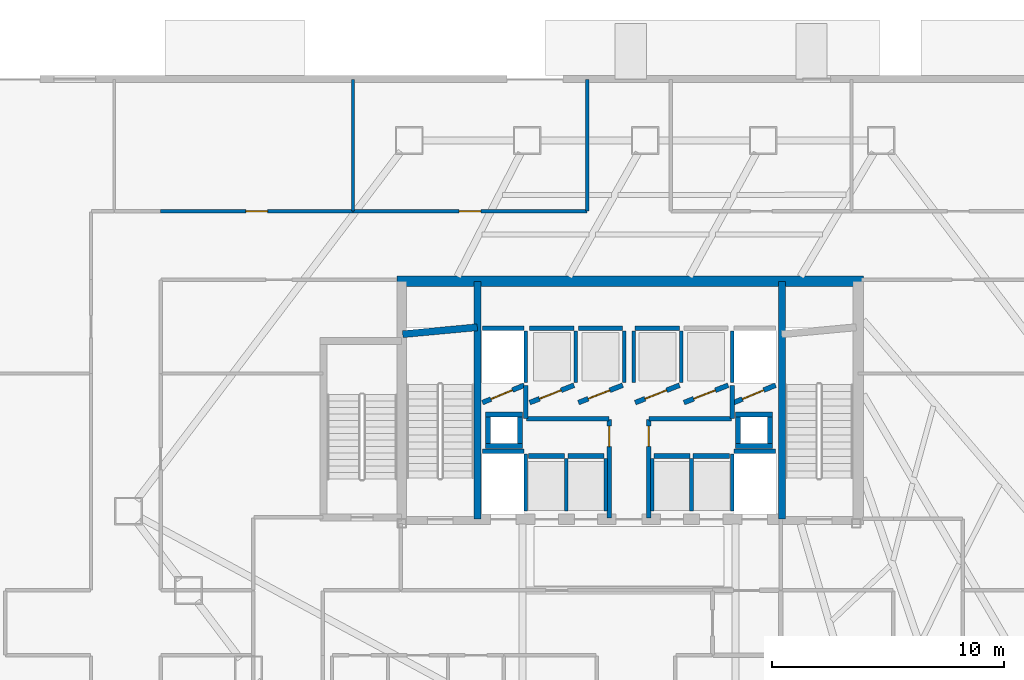
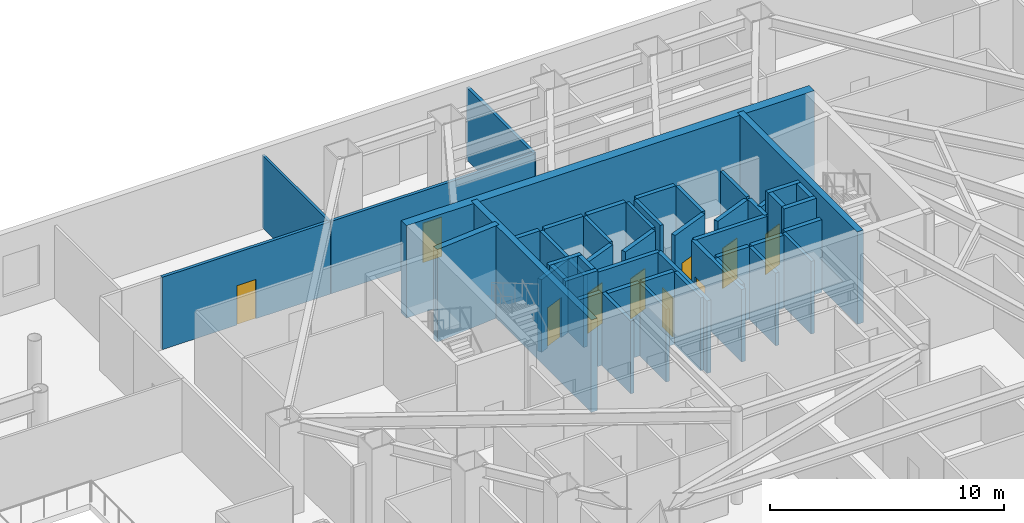
# One storey, part 25 of 31: 50 walls, 10 doors, 10 openings.
"""IFC4 building model written with IfcOpenShell, lengths in metres."""

import ifcopenshell
import ifcopenshell.guid

model = None  # the IFC model being written
_history = None  # IfcOwnerHistory: only IFC2X3 demands one
_inside = {}  # id of a spatial element -> (the spatial element, [elements in it])
_under = {}  # id of a project, library or spatial element -> (it, [spatial elements below it])
_declared = {}  # id of a project -> (the project, [libraries it declares])
_typed = {}  # id of a type object -> (the type object, [elements of that type])
_made_of = {}  # id of a material, layer set ... -> (it, [elements and type objects made of it])


def new_model(schema):
    """Start an empty IFC model of exactly this schema.

    Asked for "IFC4X3", IfcOpenShell would pick the latest addendum, in which some entities
    have other attributes; the version numbers below select the first issue.
    IFC2X3 requires an IfcOwnerHistory on every rooted entity: one is made here for all.
    """
    global model, _history
    if schema == "IFC4X3":
        model = ifcopenshell.file(schema_version=(4, 3, 0, 0))
    else:
        model = ifcopenshell.file(schema=schema)
    _inside.clear()
    _under.clear()
    _declared.clear()
    _typed.clear()
    _made_of.clear()
    _history = None
    if model.schema == "IFC2X3":
        org = make("IfcOrganization", Name="unknown")
        user = make(
            "IfcPersonAndOrganization",
            ThePerson=make("IfcPerson", FamilyName="unknown"),
            TheOrganization=org,
        )
        app = make(
            "IfcApplication",
            ApplicationDeveloper=org,
            Version="unknown",
            ApplicationFullName="unknown",
            ApplicationIdentifier="unknown",
        )
        _history = make(
            "IfcOwnerHistory",
            OwningUser=user,
            OwningApplication=app,
            ChangeAction="ADDED",
            CreationDate=0,
        )
    return model


def make(cls, **values):
    """One entity of the class cls with the attributes given. An attribute that is None is left unset."""
    return model.create_entity(
        cls, **{name: value for name, value in values.items() if value is not None}
    )


def rooted(cls, **values):
    """An entity with a GlobalId (a new one), such as an element, a storey or a relation."""
    return make(cls, GlobalId=ifcopenshell.guid.new(), OwnerHistory=_history, **values)


def si_unit(unit_type, name, prefix=None):
    """IfcSIUnit, for example si_unit("LENGTHUNIT", "METRE", prefix="MILLI")."""
    return make("IfcSIUnit", UnitType=unit_type, Prefix=prefix, Name=name)


def assignment(units):
    """IfcUnitAssignment: the units of a project."""
    return None if units is None else make("IfcUnitAssignment", Units=units)


def point(xyz):
    """IfcCartesianPoint."""
    return None if xyz is None else make("IfcCartesianPoint", Coordinates=xyz)


def direction(xyz):
    """IfcDirection."""
    return None if xyz is None else make("IfcDirection", DirectionRatios=xyz)


def frame(location, z_axis=None, x_axis=None):
    """IfcAxis2Placement3D, a coordinate frame: its origin and axes. An axis left out is left unset."""
    return make(
        "IfcAxis2Placement3D",
        Location=point(location),
        Axis=direction(z_axis),
        RefDirection=direction(x_axis),
    )


def frame_2d(location, x_axis=None):
    """IfcAxis2Placement2D, a coordinate frame in the plane: its origin and x axis."""
    return make(
        "IfcAxis2Placement2D", Location=point(location), RefDirection=direction(x_axis)
    )


def origin():
    """The frame at (0, 0, 0) with its axes left unset."""
    return frame((0.0, 0.0, 0.0))


def place(relative_to, where):
    """IfcLocalPlacement: puts the frame where relative to a parent placement (None: the world)."""
    return make(
        "IfcLocalPlacement", PlacementRelTo=relative_to, RelativePlacement=where
    )


def context(
    kind, dimensions, precision=None, world=None, true_north=None, identifier=None
):
    """IfcGeometricRepresentationContext, for example the 3D "Model" context."""
    return make(
        "IfcGeometricRepresentationContext",
        ContextIdentifier=identifier,
        ContextType=kind,
        CoordinateSpaceDimension=dimensions,
        Precision=precision,
        WorldCoordinateSystem=world,
        TrueNorth=true_north,
    )


def subcontext(parent, identifier, kind, view, scale=None):
    """IfcGeometricRepresentationSubContext, for example "Body" below "Model"."""
    return make(
        "IfcGeometricRepresentationSubContext",
        ContextIdentifier=identifier,
        ContextType=kind,
        ParentContext=parent,
        TargetScale=scale,
        TargetView=view,
    )


def project(units=None, contexts=None):
    """IfcProject with its units and contexts."""
    return rooted(
        "IfcProject",
        Name="project",
        RepresentationContexts=contexts,
        UnitsInContext=assignment(units),
    )


def spatial(cls, under=None, at=None, **own):
    """A site, building, storey or space (cls), placed at a placement, below another one or the project."""
    s = rooted(cls, ObjectPlacement=at, **own)
    if under is not None:
        _under.setdefault(under.id(), (under, []))[1].append(s)
    return s


def profile(cls, at=None, kind="AREA", **sizes):
    """A parametric profile (cls). Its sizes go by their IFC names, for example OverallWidth=200.0."""
    return make(cls, ProfileType=kind, Position=at, **sizes)


def rectangle(**sizes):
    """IfcRectangleProfileDef."""
    return profile("IfcRectangleProfileDef", **sizes)


def extrude(swept, where, along, depth):
    """IfcExtrudedAreaSolid: the profile swept, set in the frame where, extruded along a direction by depth."""
    return make(
        "IfcExtrudedAreaSolid",
        SweptArea=swept,
        Position=where,
        ExtrudedDirection=direction(along),
        Depth=depth,
    )


def shape(context_of_items, identifier, shape_type, items):
    """IfcShapeRepresentation: the items that make up one representation, for example the "Body"."""
    return make(
        "IfcShapeRepresentation",
        ContextOfItems=context_of_items,
        RepresentationIdentifier=identifier,
        RepresentationType=shape_type,
        Items=items,
    )


def material(Name=None, Category=None):
    """IfcMaterial."""
    return make("IfcMaterial", Name=Name, Category=Category)


def layer(
    of_material, thickness, ventilated=None, Name=None, Category=None, Priority=None
):
    """IfcMaterialLayer: one layer of a wall or slab, of a material (None: an air gap)."""
    return make(
        "IfcMaterialLayer",
        Material=of_material,
        LayerThickness=thickness,
        IsVentilated=ventilated,
        Name=Name,
        Category=Category,
        Priority=Priority,
    )


def layer_set(layers, Name=None):
    """IfcMaterialLayerSet."""
    return make("IfcMaterialLayerSet", MaterialLayers=layers, LayerSetName=Name)


def made_of(thing, what):
    """Note that an element or type object is made of a material, layer set ...; save() writes the relation."""
    if what is not None:
        _made_of.setdefault(what.id(), (what, []))[1].append(thing)
    return thing


def type_object(cls, material=None, **own):
    """A type object (cls), such as IfcWallType, which elements share."""
    return made_of(rooted(cls, **own), material)


def element(
    cls,
    number,
    at=None,
    inside=None,
    cuts=None,
    type_object=None,
    material=None,
    context=None,
    identifier="Body",
    shape_type=None,
    held_by="IfcProductDefinitionShape",
    body=None,
    shapes=None,
    **own,
):
    """One element of the class cls, such as IfcWall. Its Tag is "e" and its number.

    at: its placement. inside: the storey or other place that contains it. cuts: it is an
    opening in that element (IfcRelVoidsElement). A single representation is given by context,
    identifier, shape_type and body (its items); several are given by shapes. held_by: the class
    of the entity that holds the representations. save() writes the other relations.
    """
    e = rooted(cls, Tag="e%d" % number, ObjectPlacement=at, **own)
    if body is not None:
        shapes = [shape(context, identifier, shape_type, body)]
    if shapes is not None:
        e.Representation = make(held_by, Representations=shapes)
    if inside is not None:
        _inside.setdefault(inside.id(), (inside, []))[1].append(e)
    if cuts is not None:
        rooted(
            "IfcRelVoidsElement", RelatingBuildingElement=cuts, RelatedOpeningElement=e
        )
    if type_object is not None:
        _typed.setdefault(type_object.id(), (type_object, []))[1].append(e)
    return made_of(e, material)


def fill(opening, filler):
    """IfcRelFillsElement: the door or window that sits in an opening."""
    return rooted(
        "IfcRelFillsElement",
        RelatingOpeningElement=opening,
        RelatedBuildingElement=filler,
    )


def aggregate(whole, parts):
    """IfcRelAggregates: a whole, such as a stair, and the parts it consists of."""
    return rooted("IfcRelAggregates", RelatingObject=whole, RelatedObjects=parts)


def save(model, path):
    """Write the relations noted so far, then the file.

    IfcRelAggregates (storeys below a building ...), IfcRelContainedInSpatialStructure (elements
    in a storey), IfcRelDefinesByType, IfcRelAssociatesMaterial and IfcRelDeclares: one each for
    every whole, place, type object, material and project.
    """
    for whole, parts in _under.values():
        aggregate(whole, parts)
    for where, things in _inside.values():
        rooted(
            "IfcRelContainedInSpatialStructure",
            RelatedElements=things,
            RelatingStructure=where,
        )
    for kind, things in _typed.values():
        rooted("IfcRelDefinesByType", RelatedObjects=things, RelatingType=kind)
    for what, things in _made_of.values():
        rooted("IfcRelAssociatesMaterial", RelatedObjects=things, RelatingMaterial=what)
    for by, libraries in _declared.values():
        rooted("IfcRelDeclares", RelatingContext=by, RelatedDefinitions=libraries)
    model.write(path)


model = new_model("IFC4")

# Units and contexts
model_context = context("Model", 3, precision=1e-05, world=origin(), true_north=direction((0.0, 1.0)))
body_context = subcontext(model_context, "Body", "Model", "MODEL_VIEW")
ifc_project = project(units=[si_unit("LENGTHUNIT", "METRE"), si_unit("AREAUNIT", "SQUARE_METRE"), si_unit("VOLUMEUNIT", "CUBIC_METRE"), si_unit("PLANEANGLEUNIT", "RADIAN"), si_unit("MASSUNIT", "GRAM", prefix="KILO")], contexts=[model_context])

# Site, building, storey
site_placement = place(None, origin())
site = spatial("IfcSite", under=ifc_project, at=site_placement, CompositionType="ELEMENT")
building_placement = place(site_placement, origin())
building = spatial("IfcBuilding", under=site, at=building_placement, Name="Zarrinselat Tower", CompositionType="ELEMENT")
storey_placement = place(building_placement, origin())
storey = spatial("IfcBuildingStorey", under=building, at=storey_placement, Name="L00", CompositionType="ELEMENT", Elevation=0.0)

# Wall, opening, door
ifc_material_1 = material(Name="Fire-Rated Gypsum Board Partition", Category="gypsum")
ifc_layer_1 = layer(ifc_material_1, 0.14990234375)
ifc_layer_set_1 = layer_set([ifc_layer_1], Name="Fire-Rated Gypsum Board Partition")
wall_type_1 = type_object("IfcWallType", Name="WAL-PART-EI60", PredefinedType="PARTITIONING", material=ifc_layer_set_1)
wall_1_placement = place(storey_placement, frame((18.199951171875, 46.5, 0.0), z_axis=(0.0, 0.0, 1.0), x_axis=(1.0, 0.0, 0.0)))
wall_1 = element("IfcWall", 1, at=wall_1_placement, inside=storey, type_object=wall_type_1, Name="L00 Partition Wall 81", PredefinedType="PARTITIONING", context=body_context, shape_type="SweptSolid", body=[
    extrude(rectangle(XDim=8.295166015625, YDim=0.14990234375, at=frame_2d((4.1474609375, 0.0))), origin(), (0.0, 0.0, 1.0), 3.777099609375),
])
opening_1_placement = place(wall_1_placement, frame((3.677490234375, 0.0, 0.0)))
opening_1 = element("IfcOpeningElement", 2, at=opening_1_placement, cuts=wall_1, Name="Opening ID-04", PredefinedType="OPENING", context=body_context, shape_type="SweptSolid", body=[
    extrude(rectangle(XDim=0.93994140625, YDim=2.050048828125, at=frame_2d((0.469970703125, 1.02490234375))), frame((0.0, 0.0849609375, 0.0), z_axis=(0.0, -1.0, 0.0), x_axis=(1.0, 0.0, 0.0)), (0.0, 0.0, 1.0), 0.169921875),
])
ifc_material_2 = material(Name="Fire-Rated Gypsum Board Partition")
door_type_1 = type_object("IfcDoorType", Name="DR-INT-FD30-ENT", OperationType="NOTDEFINED", PredefinedType="DOOR", material=ifc_material_2)
door_1_placement = place(opening_1_placement, origin())
door_1 = element("IfcDoor", 3, at=door_1_placement, inside=storey, type_object=door_type_1, Name="L00 Interior Door P81", OperationType="SINGLE_SWING_RIGHT", OverallHeight=2.050048828125, OverallWidth=0.93994140625, PredefinedType="DOOR", context=body_context, shape_type="SweptSolid", body=[
    extrude(rectangle(XDim=0.93994140625, YDim=2.050048828125, at=frame_2d((0.469970703125, 1.02490234375))), frame((0.0, 0.02490234375, 0.0), z_axis=(0.0, -1.0, 0.0), x_axis=(1.0, 0.0, 0.0)), (0.0, 0.0, 1.0), 0.050048828125),
])
fill(opening_1, door_1)

wall_2_placement = place(storey_placement, frame((26.5048828125, 46.5, 0.0), z_axis=(0.0, 0.0, 1.0), x_axis=(1.0, 0.0, 0.0)))
wall_2 = element("IfcWall", 4, at=wall_2_placement, inside=storey, type_object=wall_type_1, Name="L00 Partition Wall 82", PredefinedType="PARTITIONING", context=body_context, shape_type="SweptSolid", body=[
    extrude(rectangle(XDim=10.0751953125, YDim=0.14990234375, at=frame_2d((5.03759765625, 0.0))), origin(), (0.0, 0.0, 1.0), 3.777099609375),
])
opening_2_placement = place(wall_2_placement, frame((4.5673828125, 0.0, 0.0)))
opening_2 = element("IfcOpeningElement", 5, at=opening_2_placement, cuts=wall_2, Name="Opening ID-04", PredefinedType="OPENING", context=body_context, shape_type="SweptSolid", body=[
    extrude(rectangle(XDim=0.93994140625, YDim=2.050048828125, at=frame_2d((0.469970703125, 1.02490234375))), frame((0.0, 0.0849609375, 0.0), z_axis=(0.0, -1.0, 0.0), x_axis=(1.0, 0.0, 0.0)), (0.0, 0.0, 1.0), 0.169921875),
])
door_2_placement = place(opening_2_placement, origin())
door_2 = element("IfcDoor", 6, at=door_2_placement, inside=storey, type_object=door_type_1, Name="L00 Interior Door P82", OperationType="SINGLE_SWING_LEFT", OverallHeight=2.050048828125, OverallWidth=0.93994140625, PredefinedType="DOOR", context=body_context, shape_type="SweptSolid", body=[
    extrude(rectangle(XDim=0.93994140625, YDim=2.050048828125, at=frame_2d((0.469970703125, 1.02490234375))), frame((0.0, 0.02490234375, 0.0), z_axis=(0.0, -1.0, 0.0), x_axis=(1.0, 0.0, 0.0)), (0.0, 0.0, 1.0), 0.050048828125),
])
fill(opening_2, door_2)

# Wall
wall_3_placement = place(storey_placement, frame((36.60009765625, 46.52001953125, 0.0), z_axis=(0.0, 0.0, 1.0), x_axis=(0.0, 1.0, 0.0)))
element("IfcWall", 7, at=wall_3_placement, inside=storey, type_object=wall_type_1, Name="L00 Partition Wall 83", PredefinedType="PARTITIONING", context=body_context, shape_type="SweptSolid", body=[
    extrude(rectangle(XDim=5.6650390625, YDim=0.14990234375, at=frame_2d((2.83251953125, 0.0))), origin(), (0.0, 0.0, 1.0), 3.777099609375),
])

# Wall, opening, door
ifc_material_3 = material(Name="Concrete C40/50", Category="concrete")
ifc_layer_2 = layer(ifc_material_3, 0.199951171875)
ifc_layer_set_2 = layer_set([ifc_layer_2], Name="Concrete C40/50")
wall_type_2 = type_object("IfcWallType", Name="WAL-PART-PLANT", PredefinedType="PARTITIONING", material=ifc_layer_set_2)
wall_4_placement = place(storey_placement, frame((37.550048828125, 33.264892578125, 0.0), z_axis=(0.0, 0.0, 1.0), x_axis=(0.0, 1.0, 0.0)))
wall_4 = element("IfcWall", 8, at=wall_4_placement, inside=storey, type_object=wall_type_2, Name="L00 Partition Wall 1", PredefinedType="PARTITIONING", context=body_context, shape_type="SweptSolid", body=[
    extrude(rectangle(XDim=4.26513671875, YDim=0.199951171875, at=frame_2d((2.132568359375, 0.0))), origin(), (0.0, 0.0, 1.0), 3.777099609375),
])
opening_3_placement = place(wall_4_placement, frame((3.092529296875, 0.0, 0.0)))
opening_3 = element("IfcOpeningElement", 9, at=opening_3_placement, cuts=wall_4, Name="Opening ID-03", PredefinedType="OPENING", context=body_context, shape_type="SweptSolid", body=[
    extrude(rectangle(XDim=0.8798828125, YDim=2.050048828125, at=frame_2d((0.43994140625, 1.02490234375))), frame((0.0, 0.10986328125, 0.0), z_axis=(0.0, -1.0, 0.0), x_axis=(1.0, 0.0, 0.0)), (0.0, 0.0, 1.0), 0.219970703125),
])
ifc_material_4 = material(Name="Steel S355J2", Category="steel")
door_type_2 = type_object("IfcDoorType", Name="DR-INT-FD60-S", OperationType="NOTDEFINED", PredefinedType="DOOR", material=ifc_material_4)
door_3_placement = place(opening_3_placement, origin())
door_3 = element("IfcDoor", 10, at=door_3_placement, inside=storey, type_object=door_type_2, Name="L00 Interior Door P1", OperationType="SINGLE_SWING_LEFT", OverallHeight=2.050048828125, OverallWidth=0.8798828125, PredefinedType="DOOR", context=body_context, shape_type="SweptSolid", body=[
    extrude(rectangle(XDim=0.8798828125, YDim=2.050048828125, at=frame_2d((0.43994140625, 1.02490234375))), frame((0.0, 0.02490234375, 0.0), z_axis=(0.0, -1.0, 0.0), x_axis=(1.0, 0.0, 0.0)), (0.0, 0.0, 1.0), 0.050048828125),
])
fill(opening_3, door_3)

# Walls
wall_5_placement = place(storey_placement, frame((33.969970703125, 37.550048828125, 0.0), z_axis=(0.0, 0.0, 1.0), x_axis=(1.0, 0.0, 0.0)))
element("IfcWall", 11, at=wall_5_placement, inside=storey, type_object=wall_type_2, Name="L00 Partition Wall 2", PredefinedType="PARTITIONING", context=body_context, shape_type="SweptSolid", body=[
    extrude(rectangle(XDim=3.56005859375, YDim=0.199951171875, at=frame_2d((1.780029296875, 0.0))), origin(), (0.0, 0.0, 1.0), 3.777099609375),
])
for number, where, z_axis, x_axis, name in (
    (12, (33.949951171875, 37.570068359375, 0.0), (0.0, 0.0, 1.0), (0.0, 1.0, 0.0), "L00 Partition Wall 3"),
    (13, (42.85009765625, 37.570068359375, 0.0), (0.0, 0.0, 1.0), (0.0, 1.0, 0.0), "L00 Partition Wall 4"),
):
    element("IfcWall", number, at=place(storey_placement, frame(where, z_axis=z_axis, x_axis=x_axis)), inside=storey, type_object=wall_type_2, Name=name, PredefinedType="PARTITIONING", context=body_context, shape_type="SweptSolid", body=[
        extrude(rectangle(XDim=1.4150390625, YDim=0.199951171875, at=frame_2d((0.70751953125, 0.0))), origin(), (0.0, 0.0, 1.0), 3.777099609375),
    ])
wall_6_placement = place(storey_placement, frame((39.27001953125, 37.550048828125, 0.0), z_axis=(0.0, 0.0, 1.0), x_axis=(1.0, 0.0, 0.0)))
element("IfcWall", 14, at=wall_6_placement, inside=storey, type_object=wall_type_2, Name="L00 Partition Wall 5", PredefinedType="PARTITIONING", context=body_context, shape_type="SweptSolid", body=[
    extrude(rectangle(XDim=3.56005859375, YDim=0.199951171875, at=frame_2d((1.780029296875, 0.0))), origin(), (0.0, 0.0, 1.0), 3.777099609375),
])

# Wall, opening, door
wall_7_placement = place(storey_placement, frame((39.25, 37.530029296875, 0.0), z_axis=(0.0, 0.0, 1.0), x_axis=(0.0, -1.0, 0.0)))
wall_7 = element("IfcWall", 15, at=wall_7_placement, inside=storey, type_object=wall_type_2, Name="L00 Partition Wall 6", PredefinedType="PARTITIONING", context=body_context, shape_type="SweptSolid", body=[
    extrude(rectangle(XDim=4.26513671875, YDim=0.199951171875, at=frame_2d((2.132568359375, 0.0))), origin(), (0.0, 0.0, 1.0), 3.777099609375),
])
opening_4_placement = place(wall_7_placement, frame((0.29248046875, 0.0, 0.0)))
opening_4 = element("IfcOpeningElement", 16, at=opening_4_placement, cuts=wall_7, Name="Opening ID-03", PredefinedType="OPENING", context=body_context, shape_type="SweptSolid", body=[
    extrude(rectangle(XDim=0.8798828125, YDim=2.050048828125, at=frame_2d((0.43994140625, 1.02490234375))), frame((0.0, 0.10986328125, 0.0), z_axis=(0.0, -1.0, 0.0), x_axis=(1.0, 0.0, 0.0)), (0.0, 0.0, 1.0), 0.219970703125),
])
door_4_placement = place(opening_4_placement, origin())
door_4 = element("IfcDoor", 17, at=door_4_placement, inside=storey, type_object=door_type_2, Name="L00 Interior Door P6", OperationType="SINGLE_SWING_RIGHT", OverallHeight=2.050048828125, OverallWidth=0.8798828125, PredefinedType="DOOR", context=body_context, shape_type="SweptSolid", body=[
    extrude(rectangle(XDim=0.8798828125, YDim=2.050048828125, at=frame_2d((0.43994140625, 1.02490234375))), frame((0.0, 0.02490234375, 0.0), z_axis=(0.0, -1.0, 0.0), x_axis=(1.0, 0.0, 0.0)), (0.0, 0.0, 1.0), 0.050048828125),
])
fill(opening_4, door_4)

# Walls
ifc_material_5 = material(Name="Fire-Rated Gypsum Board Partition", Category="gypsum")
ifc_layer_3 = layer(ifc_material_5, 0.1201171875)
ifc_layer_set_3 = layer_set([ifc_layer_3], Name="Fire-Rated Gypsum Board Partition")
wall_type_3 = type_object("IfcWallType", Name="WAL-PART-STD", PredefinedType="PARTITIONING", material=ifc_layer_set_3)
wall_8_placement = place(storey_placement, frame((26.5, 46.52001953125, 0.0), z_axis=(0.0, 0.0, 1.0), x_axis=(0.0, 1.0, 0.0)))
element("IfcWall", 18, at=wall_8_placement, inside=storey, type_object=wall_type_3, Name="L00 Partition Wall 122", PredefinedType="PARTITIONING", context=body_context, shape_type="SweptSolid", body=[
    extrude(rectangle(XDim=5.6650390625, YDim=0.1201171875, at=frame_2d((2.83251953125, 0.0))), origin(), (0.0, 0.0, 1.0), 3.777099609375),
])
ifc_material_6 = material(Name="Concrete C40/50", Category="concrete")
ifc_layer_4 = layer(ifc_material_6, 0.2099609375)
ifc_layer_set_4 = layer_set([ifc_layer_4], Name="Concrete C40/50")
wall_type_4 = type_object("IfcWallType", Name="WAL-SHAFT-210", PredefinedType="SOLIDWALL", material=ifc_layer_set_4)
wall_9_placement = place(storey_placement, frame((32.080078125, 36.155029296875, 0.0), z_axis=(0.0, 0.0, 1.0), x_axis=(1.0, 0.0, 0.0)))
element("IfcWall", 19, at=wall_9_placement, inside=storey, type_object=wall_type_4, Name="L00 Lift FFL1 North Shaft Wall", PredefinedType="SOLIDWALL", context=body_context, shape_type="SweptSolid", body=[
    extrude(rectangle(XDim=1.7998046875, YDim=0.2099609375, at=frame_2d((0.89990234375, 0.0))), origin(), (0.0, 0.0, 1.0), 3.7919921875),
])
wall_10_placement = place(storey_placement, frame((33.949951171875, 33.580078125, 0.0), z_axis=(0.0, 0.0, 1.0), x_axis=(0.0, 1.0, 0.0)))
element("IfcWall", 20, at=wall_10_placement, inside=storey, type_object=wall_type_4, Name="L00 Lift FFL1 E Shaft Wall", PredefinedType="SOLIDWALL", context=body_context, shape_type="SweptSolid", body=[
    extrude(rectangle(XDim=2.449951171875, YDim=0.159912109375, at=frame_2d((1.22509765625, 0.0))), origin(), (0.0, 0.0, 1.0), 3.7919921875),
])
wall_11_placement = place(storey_placement, frame((42.919921875, 36.155029296875, 0.0), z_axis=(0.0, 0.0, 1.0), x_axis=(1.0, 0.0, 0.0)))
element("IfcWall", 21, at=wall_11_placement, inside=storey, type_object=wall_type_4, Name="L00 Lift FFL2 North Shaft Wall", PredefinedType="SOLIDWALL", context=body_context, shape_type="SweptSolid", body=[
    extrude(rectangle(XDim=1.800048828125, YDim=0.2099609375, at=frame_2d((0.89990234375, 0.0))), origin(), (0.0, 0.0, 1.0), 3.7919921875),
])
wall_12_placement = place(storey_placement, frame((42.85009765625, 33.580078125, 0.0), z_axis=(0.0, 0.0, 1.0), x_axis=(0.0, 1.0, 0.0)))
element("IfcWall", 22, at=wall_12_placement, inside=storey, type_object=wall_type_4, Name="L00 Lift FFL2 W Shaft Wall", PredefinedType="SOLIDWALL", context=body_context, shape_type="SweptSolid", body=[
    extrude(rectangle(XDim=2.449951171875, YDim=0.159912109375, at=frame_2d((1.22509765625, 0.0))), origin(), (0.0, 0.0, 1.0), 3.7919921875),
])

# Wall, opening, door
wall_13_placement = place(storey_placement, frame((32.080078125, 38.25, 0.0), z_axis=(0.0, 0.0, 1.0), x_axis=(0.923062104416, 0.384650947472, 0.0)))
wall_13 = element("IfcWall", 23, at=wall_13_placement, inside=storey, type_object=wall_type_4, Name="L00 Lift BSL1 Front Shaft Wall", PredefinedType="SOLIDWALL", context=body_context, shape_type="SweptSolid", body=[
    extrude(rectangle(XDim=1.94970703125, YDim=0.2099609375, at=frame_2d((0.974853515625, 0.0))), origin(), (0.0, 0.0, 1.0), 3.7919921875),
])
opening_5_placement = place(wall_13_placement, frame((0.39990234375, 0.0, 0.0)))
opening_5 = element("IfcOpeningElement", 24, at=opening_5_placement, cuts=wall_13, Name="Opening LD-BSL1", PredefinedType="OPENING", context=body_context, shape_type="SweptSolid", body=[
    extrude(rectangle(XDim=1.0, YDim=2.10009765625, at=frame_2d((0.5, 1.050048828125))), frame((0.0, 0.114990234375, 0.0), z_axis=(0.0, -1.0, 0.0), x_axis=(1.0, 0.0, 0.0)), (0.0, 0.0, 1.0), 0.22998046875),
])
ifc_material_7 = material(Name="Steel S355J2", Category="steel")
door_type_3 = type_object("IfcDoorType", Name="DR-LIFT-PS-1000", OperationType="NOTDEFINED", PredefinedType="DOOR", material=ifc_material_7)
door_5_placement = place(opening_5_placement, origin())
door_5 = element("IfcDoor", 25, at=door_5_placement, inside=storey, type_object=door_type_3, Name="L00 Lift BSL1 Sliding Landing Door", OperationType="SLIDING_TO_LEFT", OverallHeight=2.10009765625, OverallWidth=1.0, PredefinedType="DOOR", context=body_context, shape_type="SweptSolid", body=[
    extrude(rectangle(XDim=1.0, YDim=2.10009765625, at=frame_2d((0.5, 1.050048828125))), frame((0.0, 0.02490234375, 0.0), z_axis=(0.0, -1.0, 0.0), x_axis=(1.0, 0.0, 0.0)), (0.0, 0.0, 1.0), 0.050048828125),
])
fill(opening_5, door_5)

# Walls
wall_14_placement = place(storey_placement, frame((32.080078125, 41.455078125, 0.0), z_axis=(0.0, 0.0, 1.0), x_axis=(1.0, 0.0, 0.0)))
element("IfcWall", 26, at=wall_14_placement, inside=storey, type_object=wall_type_4, Name="L00 Lift BSL1 Rear Shaft Wall", PredefinedType="SOLIDWALL", context=body_context, shape_type="SweptSolid", body=[
    extrude(rectangle(XDim=1.7998046875, YDim=0.2099609375, at=frame_2d((0.89990234375, 0.0))), origin(), (0.0, 0.0, 1.0), 3.7919921875),
])
wall_15_placement = place(storey_placement, frame((33.949951171875, 39.1201171875, 0.0), z_axis=(0.0, 0.0, 1.0), x_axis=(0.0, 1.0, 0.0)))
element("IfcWall", 27, at=wall_15_placement, inside=storey, type_object=wall_type_4, Name="L00 Lift BSL1 E Shaft Wall", PredefinedType="SOLIDWALL", context=body_context, shape_type="SweptSolid", body=[
    extrude(rectangle(XDim=2.2099609375, YDim=0.159912109375, at=frame_2d((1.10498046875, 0.0))), origin(), (0.0, 0.0, 1.0), 3.7919921875),
])

# Wall, opening, door
wall_16_placement = place(storey_placement, frame((42.919921875, 38.25, 0.0), z_axis=(0.0, 0.0, 1.0), x_axis=(0.9230806271, 0.384606494839, 0.0)))
wall_16 = element("IfcWall", 28, at=wall_16_placement, inside=storey, type_object=wall_type_4, Name="L00 Lift BSL2 Front Shaft Wall", PredefinedType="SOLIDWALL", context=body_context, shape_type="SweptSolid", body=[
    extrude(rectangle(XDim=1.949951171875, YDim=0.2099609375, at=frame_2d((0.97509765625, 0.0))), origin(), (0.0, 0.0, 1.0), 3.7919921875),
])
opening_6_placement = place(wall_16_placement, frame((0.39990234375, 0.0, 0.0)))
opening_6 = element("IfcOpeningElement", 29, at=opening_6_placement, cuts=wall_16, Name="Opening LD-BSL2", PredefinedType="OPENING", context=body_context, shape_type="SweptSolid", body=[
    extrude(rectangle(XDim=1.0, YDim=2.10009765625, at=frame_2d((0.5, 1.050048828125))), frame((0.0, 0.114990234375, 0.0), z_axis=(0.0, -1.0, 0.0), x_axis=(1.0, 0.0, 0.0)), (0.0, 0.0, 1.0), 0.22998046875),
])
door_6_placement = place(opening_6_placement, origin())
door_6 = element("IfcDoor", 30, at=door_6_placement, inside=storey, type_object=door_type_3, Name="L00 Lift BSL2 Sliding Landing Door", OperationType="SLIDING_TO_RIGHT", OverallHeight=2.10009765625, OverallWidth=1.0, PredefinedType="DOOR", context=body_context, shape_type="SweptSolid", body=[
    extrude(rectangle(XDim=1.0, YDim=2.10009765625, at=frame_2d((0.5, 1.050048828125))), frame((0.0, 0.02490234375, 0.0), z_axis=(0.0, -1.0, 0.0), x_axis=(1.0, 0.0, 0.0)), (0.0, 0.0, 1.0), 0.050048828125),
])
fill(opening_6, door_6)

# Wall
wall_17_placement = place(storey_placement, frame((42.85009765625, 39.1201171875, 0.0), z_axis=(0.0, 0.0, 1.0), x_axis=(0.0, 1.0, 0.0)))
element("IfcWall", 31, at=wall_17_placement, inside=storey, type_object=wall_type_4, Name="L00 Lift BSL2 W Shaft Wall", PredefinedType="SOLIDWALL", context=body_context, shape_type="SweptSolid", body=[
    extrude(rectangle(XDim=2.2099609375, YDim=0.159912109375, at=frame_2d((1.10498046875, 0.0))), origin(), (0.0, 0.0, 1.0), 3.7919921875),
])

# Wall, opening, door
wall_18_placement = place(storey_placement, frame((34.1201171875, 38.25, 0.0), z_axis=(0.0, 0.0, 1.0), x_axis=(0.930804993012, 0.36551616241, 0.0)))
wall_18 = element("IfcWall", 32, at=wall_18_placement, inside=storey, type_object=wall_type_4, Name="L00 Lift PL1 Front Shaft Wall", PredefinedType="SOLIDWALL", context=body_context, shape_type="SweptSolid", body=[
    extrude(rectangle(XDim=2.052001953125, YDim=0.2099609375, at=frame_2d((1.02587890625, 0.0))), origin(), (0.0, 0.0, 1.0), 3.7919921875),
])
opening_7_placement = place(wall_18_placement, frame((0.455078125, 0.0, 0.0)))
opening_7 = element("IfcOpeningElement", 33, at=opening_7_placement, cuts=wall_18, Name="Opening LD-PL1", PredefinedType="OPENING", context=body_context, shape_type="SweptSolid", body=[
    extrude(rectangle(XDim=1.0, YDim=2.10009765625, at=frame_2d((0.5, 1.050048828125))), frame((0.0, 0.114990234375, 0.0), z_axis=(0.0, -1.0, 0.0), x_axis=(1.0, 0.0, 0.0)), (0.0, 0.0, 1.0), 0.22998046875),
])
door_7_placement = place(opening_7_placement, origin())
door_7 = element("IfcDoor", 34, at=door_7_placement, inside=storey, type_object=door_type_3, Name="L00 Lift PL1 Sliding Landing Door", OperationType="SLIDING_TO_LEFT", OverallHeight=2.10009765625, OverallWidth=1.0, PredefinedType="DOOR", context=body_context, shape_type="SweptSolid", body=[
    extrude(rectangle(XDim=1.0, YDim=2.10009765625, at=frame_2d((0.5, 1.050048828125))), frame((0.0, 0.02490234375, 0.0), z_axis=(0.0, -1.0, 0.0), x_axis=(1.0, 0.0, 0.0)), (0.0, 0.0, 1.0), 0.050048828125),
])
fill(opening_7, door_7)

# Walls
wall_19_placement = place(storey_placement, frame((34.1201171875, 41.455078125, 0.0), z_axis=(0.0, 0.0, 1.0), x_axis=(1.0, 0.0, 0.0)))
element("IfcWall", 35, at=wall_19_placement, inside=storey, type_object=wall_type_4, Name="L00 Lift PL1 Rear Shaft Wall", PredefinedType="SOLIDWALL", context=body_context, shape_type="SweptSolid", body=[
    extrude(rectangle(XDim=1.909912109375, YDim=0.2099609375, at=frame_2d((0.955078125, 0.0))), origin(), (0.0, 0.0, 1.0), 3.7919921875),
])
wall_20_placement = place(storey_placement, frame((36.10009765625, 39.1201171875, 0.0), z_axis=(0.0, 0.0, 1.0), x_axis=(0.0, 1.0, 0.0)))
element("IfcWall", 36, at=wall_20_placement, inside=storey, type_object=wall_type_4, Name="L00 Lift PL1 E Shaft Wall", PredefinedType="SOLIDWALL", context=body_context, shape_type="SweptSolid", body=[
    extrude(rectangle(XDim=2.2099609375, YDim=0.159912109375, at=frame_2d((1.10498046875, 0.0))), origin(), (0.0, 0.0, 1.0), 3.7919921875),
])

# Wall, opening, door
wall_21_placement = place(storey_placement, frame((36.219970703125, 38.25, 0.0), z_axis=(0.0, 0.0, 1.0), x_axis=(0.930804993012, 0.36551616241, 0.0)))
wall_21 = element("IfcWall", 37, at=wall_21_placement, inside=storey, type_object=wall_type_4, Name="L00 Lift PL2 Front Shaft Wall", PredefinedType="SOLIDWALL", context=body_context, shape_type="SweptSolid", body=[
    extrude(rectangle(XDim=2.052001953125, YDim=0.2099609375, at=frame_2d((1.02587890625, 0.0))), origin(), (0.0, 0.0, 1.0), 3.7919921875),
])
opening_8_placement = place(wall_21_placement, frame((0.455078125, 0.0, 0.0)))
opening_8 = element("IfcOpeningElement", 38, at=opening_8_placement, cuts=wall_21, Name="Opening LD-PL2", PredefinedType="OPENING", context=body_context, shape_type="SweptSolid", body=[
    extrude(rectangle(XDim=1.0, YDim=2.10009765625, at=frame_2d((0.5, 1.050048828125))), frame((0.0, 0.114990234375, 0.0), z_axis=(0.0, -1.0, 0.0), x_axis=(1.0, 0.0, 0.0)), (0.0, 0.0, 1.0), 0.22998046875),
])
door_8_placement = place(opening_8_placement, origin())
door_8 = element("IfcDoor", 39, at=door_8_placement, inside=storey, type_object=door_type_3, Name="L00 Lift PL2 Sliding Landing Door", OperationType="SLIDING_TO_RIGHT", OverallHeight=2.10009765625, OverallWidth=1.0, PredefinedType="DOOR", context=body_context, shape_type="SweptSolid", body=[
    extrude(rectangle(XDim=1.0, YDim=2.10009765625, at=frame_2d((0.5, 1.050048828125))), frame((0.0, 0.02490234375, 0.0), z_axis=(0.0, -1.0, 0.0), x_axis=(1.0, 0.0, 0.0)), (0.0, 0.0, 1.0), 0.050048828125),
])
fill(opening_8, door_8)

# Walls
wall_22_placement = place(storey_placement, frame((36.219970703125, 41.455078125, 0.0), z_axis=(0.0, 0.0, 1.0), x_axis=(1.0, 0.0, 0.0)))
element("IfcWall", 40, at=wall_22_placement, inside=storey, type_object=wall_type_4, Name="L00 Lift PL2 Rear Shaft Wall", PredefinedType="SOLIDWALL", context=body_context, shape_type="SweptSolid", body=[
    extrude(rectangle(XDim=1.909912109375, YDim=0.2099609375, at=frame_2d((0.955078125, 0.0))), origin(), (0.0, 0.0, 1.0), 3.7919921875),
])
wall_23_placement = place(storey_placement, frame((38.199951171875, 39.1201171875, 0.0), z_axis=(0.0, 0.0, 1.0), x_axis=(0.0, 1.0, 0.0)))
element("IfcWall", 41, at=wall_23_placement, inside=storey, type_object=wall_type_4, Name="L00 Lift PL2 E Shaft Wall", PredefinedType="SOLIDWALL", context=body_context, shape_type="SweptSolid", body=[
    extrude(rectangle(XDim=2.2099609375, YDim=0.159912109375, at=frame_2d((1.10498046875, 0.0))), origin(), (0.0, 0.0, 1.0), 3.7919921875),
])

# Wall, opening, door
wall_24_placement = place(storey_placement, frame((38.669921875, 38.25, 0.0), z_axis=(0.0, 0.0, 1.0), x_axis=(0.930820886763, 0.3654756856, 0.0)))
wall_24 = element("IfcWall", 42, at=wall_24_placement, inside=storey, type_object=wall_type_4, Name="L00 Lift PL3 Front Shaft Wall", PredefinedType="SOLIDWALL", context=body_context, shape_type="SweptSolid", body=[
    extrude(rectangle(XDim=2.052001953125, YDim=0.2099609375, at=frame_2d((1.02587890625, 0.0))), origin(), (0.0, 0.0, 1.0), 3.7919921875),
])
opening_9_placement = place(wall_24_placement, frame((0.455078125, 0.0, 0.0)))
opening_9 = element("IfcOpeningElement", 43, at=opening_9_placement, cuts=wall_24, Name="Opening LD-PL3", PredefinedType="OPENING", context=body_context, shape_type="SweptSolid", body=[
    extrude(rectangle(XDim=1.0, YDim=2.10009765625, at=frame_2d((0.5, 1.050048828125))), frame((0.0, 0.114990234375, 0.0), z_axis=(0.0, -1.0, 0.0), x_axis=(1.0, 0.0, 0.0)), (0.0, 0.0, 1.0), 0.22998046875),
])
door_9_placement = place(opening_9_placement, origin())
door_9 = element("IfcDoor", 44, at=door_9_placement, inside=storey, type_object=door_type_3, Name="L00 Lift PL3 Sliding Landing Door", OperationType="SLIDING_TO_LEFT", OverallHeight=2.10009765625, OverallWidth=1.0, PredefinedType="DOOR", context=body_context, shape_type="SweptSolid", body=[
    extrude(rectangle(XDim=1.0, YDim=2.10009765625, at=frame_2d((0.5, 1.050048828125))), frame((0.0, 0.02490234375, 0.0), z_axis=(0.0, -1.0, 0.0), x_axis=(1.0, 0.0, 0.0)), (0.0, 0.0, 1.0), 0.050048828125),
])
fill(opening_9, door_9)

# Walls
wall_25_placement = place(storey_placement, frame((38.669921875, 41.455078125, 0.0), z_axis=(0.0, 0.0, 1.0), x_axis=(1.0, 0.0, 0.0)))
element("IfcWall", 45, at=wall_25_placement, inside=storey, type_object=wall_type_4, Name="L00 Lift PL3 Rear Shaft Wall", PredefinedType="SOLIDWALL", context=body_context, shape_type="SweptSolid", body=[
    extrude(rectangle(XDim=1.91015625, YDim=0.2099609375, at=frame_2d((0.955078125, 0.0))), origin(), (0.0, 0.0, 1.0), 3.7919921875),
])
for number, where, z_axis, x_axis, name in (
    (46, (38.60009765625, 39.1201171875, 0.0), (0.0, 0.0, 1.0), (0.0, 1.0, 0.0), "L00 Lift PL3 W Shaft Wall"),
    (47, (40.64990234375, 39.1201171875, 0.0), (0.0, 0.0, 1.0), (0.0, 1.0, 0.0), "L00 Lift PL3 E Shaft Wall"),
):
    element("IfcWall", number, at=place(storey_placement, frame(where, z_axis=z_axis, x_axis=x_axis)), inside=storey, type_object=wall_type_4, Name=name, PredefinedType="SOLIDWALL", context=body_context, shape_type="SweptSolid", body=[
        extrude(rectangle(XDim=2.2099609375, YDim=0.159912109375, at=frame_2d((1.10498046875, 0.0))), origin(), (0.0, 0.0, 1.0), 3.7919921875),
    ])

# Wall, opening, door
wall_26_placement = place(storey_placement, frame((40.77001953125, 38.25, 0.0), z_axis=(0.0, 0.0, 1.0), x_axis=(0.930804993012, 0.36551616241, 0.0)))
wall_26 = element("IfcWall", 48, at=wall_26_placement, inside=storey, type_object=wall_type_4, Name="L00 Lift PL4 Front Shaft Wall", PredefinedType="SOLIDWALL", context=body_context, shape_type="SweptSolid", body=[
    extrude(rectangle(XDim=2.052001953125, YDim=0.2099609375, at=frame_2d((1.02587890625, 0.0))), origin(), (0.0, 0.0, 1.0), 3.7919921875),
])
opening_10_placement = place(wall_26_placement, frame((0.455078125, 0.0, 0.0)))
opening_10 = element("IfcOpeningElement", 49, at=opening_10_placement, cuts=wall_26, Name="Opening LD-PL4", PredefinedType="OPENING", context=body_context, shape_type="SweptSolid", body=[
    extrude(rectangle(XDim=1.0, YDim=2.10009765625, at=frame_2d((0.5, 1.050048828125))), frame((0.0, 0.114990234375, 0.0), z_axis=(0.0, -1.0, 0.0), x_axis=(1.0, 0.0, 0.0)), (0.0, 0.0, 1.0), 0.22998046875),
])
door_10_placement = place(opening_10_placement, origin())
door_10 = element("IfcDoor", 50, at=door_10_placement, inside=storey, type_object=door_type_3, Name="L00 Lift PL4 Sliding Landing Door", OperationType="SLIDING_TO_RIGHT", OverallHeight=2.10009765625, OverallWidth=1.0, PredefinedType="DOOR", context=body_context, shape_type="SweptSolid", body=[
    extrude(rectangle(XDim=1.0, YDim=2.10009765625, at=frame_2d((0.5, 1.050048828125))), frame((0.0, 0.02490234375, 0.0), z_axis=(0.0, -1.0, 0.0), x_axis=(1.0, 0.0, 0.0)), (0.0, 0.0, 1.0), 0.050048828125),
])
fill(opening_10, door_10)

# Walls
wall_27_placement = place(storey_placement, frame((34.070068359375, 35.955078125, 0.0), z_axis=(0.0, 0.0, 1.0), x_axis=(1.0, 0.0, 0.0)))
element("IfcWall", 51, at=wall_27_placement, inside=storey, type_object=wall_type_4, Name="L00 Lift PL5 North Shaft Wall", PredefinedType="SOLIDWALL", context=body_context, shape_type="SweptSolid", body=[
    extrude(rectangle(XDim=1.559814453125, YDim=0.2099609375, at=frame_2d((0.77978515625, 0.0))), origin(), (0.0, 0.0, 1.0), 3.7919921875),
])
wall_28_placement = place(storey_placement, frame((35.699951171875, 33.580078125, 0.0), z_axis=(0.0, 0.0, 1.0), x_axis=(0.0, 1.0, 0.0)))
element("IfcWall", 52, at=wall_28_placement, inside=storey, type_object=wall_type_4, Name="L00 Lift PL5 E Shaft Wall", PredefinedType="SOLIDWALL", context=body_context, shape_type="SweptSolid", body=[
    extrude(rectangle(XDim=2.25, YDim=0.159912109375, at=frame_2d((1.125, 0.0))), origin(), (0.0, 0.0, 1.0), 3.7919921875),
])
wall_29_placement = place(storey_placement, frame((35.77001953125, 35.955078125, 0.0), z_axis=(0.0, 0.0, 1.0), x_axis=(1.0, 0.0, 0.0)))
element("IfcWall", 53, at=wall_29_placement, inside=storey, type_object=wall_type_4, Name="L00 Lift PL6 North Shaft Wall", PredefinedType="SOLIDWALL", context=body_context, shape_type="SweptSolid", body=[
    extrude(rectangle(XDim=1.56005859375, YDim=0.2099609375, at=frame_2d((0.780029296875, 0.0))), origin(), (0.0, 0.0, 1.0), 3.7919921875),
])
wall_30_placement = place(storey_placement, frame((37.39990234375, 33.580078125, 0.0), z_axis=(0.0, 0.0, 1.0), x_axis=(0.0, 1.0, 0.0)))
element("IfcWall", 54, at=wall_30_placement, inside=storey, type_object=wall_type_4, Name="L00 Lift PL6 E Shaft Wall", PredefinedType="SOLIDWALL", context=body_context, shape_type="SweptSolid", body=[
    extrude(rectangle(XDim=2.25, YDim=0.159912109375, at=frame_2d((1.125, 0.0))), origin(), (0.0, 0.0, 1.0), 3.7919921875),
])
wall_31_placement = place(storey_placement, frame((39.469970703125, 35.955078125, 0.0), z_axis=(0.0, 0.0, 1.0), x_axis=(1.0, 0.0, 0.0)))
element("IfcWall", 55, at=wall_31_placement, inside=storey, type_object=wall_type_4, Name="L00 Lift PL8 North Shaft Wall", PredefinedType="SOLIDWALL", context=body_context, shape_type="SweptSolid", body=[
    extrude(rectangle(XDim=1.56005859375, YDim=0.2099609375, at=frame_2d((0.780029296875, 0.0))), origin(), (0.0, 0.0, 1.0), 3.7919921875),
])
for number, where, z_axis, x_axis, name in (
    (56, (39.39990234375, 33.580078125, 0.0), (0.0, 0.0, 1.0), (0.0, 1.0, 0.0), "L00 Lift PL8 W Shaft Wall"),
    (57, (41.10009765625, 33.580078125, 0.0), (0.0, 0.0, 1.0), (0.0, 1.0, 0.0), "L00 Lift PL8 E Shaft Wall"),
):
    element("IfcWall", number, at=place(storey_placement, frame(where, z_axis=z_axis, x_axis=x_axis)), inside=storey, type_object=wall_type_4, Name=name, PredefinedType="SOLIDWALL", context=body_context, shape_type="SweptSolid", body=[
        extrude(rectangle(XDim=2.25, YDim=0.159912109375, at=frame_2d((1.125, 0.0))), origin(), (0.0, 0.0, 1.0), 3.7919921875),
    ])
wall_32_placement = place(storey_placement, frame((41.169921875, 35.955078125, 0.0), z_axis=(0.0, 0.0, 1.0), x_axis=(1.0, 0.0, 0.0)))
element("IfcWall", 58, at=wall_32_placement, inside=storey, type_object=wall_type_4, Name="L00 Lift PL9 North Shaft Wall", PredefinedType="SOLIDWALL", context=body_context, shape_type="SweptSolid", body=[
    extrude(rectangle(XDim=1.56005859375, YDim=0.2099609375, at=frame_2d((0.780029296875, 0.0))), origin(), (0.0, 0.0, 1.0), 3.7919921875),
])
for number, where, z_axis, x_axis, name in (
    (59, (32.2099609375, 36.375, 0.0), (0.0, 0.0, 1.0), (1.0, 0.0, 0.0), "L00 Core Riser RSR-W S Shaft Wall"),
    (60, (32.2099609375, 37.7451171875, 0.0), (0.0, 0.0, 1.0), (1.0, 0.0, 0.0), "L00 Core Riser RSR-W N Shaft Wall"),
):
    element("IfcWall", number, at=place(storey_placement, frame(where, z_axis=z_axis, x_axis=x_axis)), inside=storey, type_object=wall_type_4, Name=name, PredefinedType="SOLIDWALL", context=body_context, shape_type="SweptSolid", body=[
        extrude(rectangle(XDim=1.60009765625, YDim=0.2099609375, at=frame_2d((0.800048828125, 0.0))), origin(), (0.0, 0.0, 1.0), 4.820068359375),
    ])
for number, where, z_axis, x_axis, name in (
    (61, (32.31494140625, 36.485107421875, 0.0), (0.0, 0.0, 1.0), (0.0, 1.0, 0.0), "L00 Core Riser RSR-W W Shaft Wall"),
    (62, (33.705078125, 36.485107421875, 0.0), (0.0, 0.0, 1.0), (0.0, 1.0, 0.0), "L00 Core Riser RSR-W E Shaft Wall"),
):
    element("IfcWall", number, at=place(storey_placement, frame(where, z_axis=z_axis, x_axis=x_axis)), inside=storey, type_object=wall_type_4, Name=name, PredefinedType="SOLIDWALL", context=body_context, shape_type="SweptSolid", body=[
        extrude(rectangle(XDim=1.14990234375, YDim=0.2099609375, at=frame_2d((0.574951171875, 0.0))), origin(), (0.0, 0.0, 1.0), 4.820068359375),
    ])
for number, where, z_axis, x_axis, name in (
    (63, (42.989990234375, 36.375, 0.0), (0.0, 0.0, 1.0), (1.0, 0.0, 0.0), "L00 Core Riser RSR-E S Shaft Wall"),
    (64, (42.989990234375, 37.7451171875, 0.0), (0.0, 0.0, 1.0), (1.0, 0.0, 0.0), "L00 Core Riser RSR-E N Shaft Wall"),
):
    element("IfcWall", number, at=place(storey_placement, frame(where, z_axis=z_axis, x_axis=x_axis)), inside=storey, type_object=wall_type_4, Name=name, PredefinedType="SOLIDWALL", context=body_context, shape_type="SweptSolid", body=[
        extrude(rectangle(XDim=1.60009765625, YDim=0.2099609375, at=frame_2d((0.800048828125, 0.0))), origin(), (0.0, 0.0, 1.0), 4.820068359375),
    ])
for number, where, z_axis, x_axis, name in (
    (65, (43.094970703125, 36.485107421875, 0.0), (0.0, 0.0, 1.0), (0.0, 1.0, 0.0), "L00 Core Riser RSR-E W Shaft Wall"),
    (66, (44.485107421875, 36.485107421875, 0.0), (0.0, 0.0, 1.0), (0.0, 1.0, 0.0), "L00 Core Riser RSR-E E Shaft Wall"),
):
    element("IfcWall", number, at=place(storey_placement, frame(where, z_axis=z_axis, x_axis=x_axis)), inside=storey, type_object=wall_type_4, Name=name, PredefinedType="SOLIDWALL", context=body_context, shape_type="SweptSolid", body=[
        extrude(rectangle(XDim=1.14990234375, YDim=0.2099609375, at=frame_2d((0.574951171875, 0.0))), origin(), (0.0, 0.0, 1.0), 4.820068359375),
    ])
ifc_material_8 = material(Name="Concrete C40/50", Category="concrete")
ifc_layer_5 = layer(ifc_material_8, 0.300048828125)
ifc_layer_set_5 = layer_set([ifc_layer_5], Name="Concrete C40/50")
wall_type_5 = type_object("IfcWallType", Name="WAL-SHEAR-300", PredefinedType="SHEAR", material=ifc_layer_set_5)
for number, where, z_axis, x_axis, name in (
    (67, (31.8701171875, 33.22509765625, 0.0), (0.0, 0.0, 1.0), (0.0, 1.0, 0.0), "L00 Core Shear Wall ST1E"),
    (68, (44.989990234375, 33.22509765625, 0.0), (0.0, 0.0, 1.0), (0.0, 1.0, 0.0), "L00 Core Shear Wall ST2W"),
):
    element("IfcWall", number, at=place(storey_placement, frame(where, z_axis=z_axis, x_axis=x_axis)), inside=storey, type_object=wall_type_5, Name=name, PredefinedType="SHEAR", context=body_context, shape_type="SweptSolid", body=[
        extrude(rectangle(XDim=10.25, YDim=0.300048828125, at=frame_2d((5.125, 0.0))), origin(), (0.0, 0.0, 1.0), 4.820068359375),
    ])
wall_33_placement = place(storey_placement, frame((28.639892578125, 41.199951171875, 0.0), z_axis=(0.0, 0.0, 1.0), x_axis=(0.995687118776, 0.092774789157, 0.0)))
element("IfcWall", 69, at=wall_33_placement, inside=storey, type_object=wall_type_5, Name="L00 Stair 1 North Shaft Wall", PredefinedType="SHEAR", context=body_context, shape_type="SweptSolid", body=[
    extrude(rectangle(XDim=3.234130859375, YDim=0.300048828125, at=frame_2d((1.6171875, 0.0))), origin(), (0.0, 0.0, 1.0), 4.820068359375),
])
ifc_material_9 = material(Name="Concrete C60/75", Category="concrete")
ifc_layer_6 = layer(ifc_material_9, 0.449951171875)
ifc_layer_set_6 = layer_set([ifc_layer_6], Name="Concrete C60/75")
wall_type_6 = type_object("IfcWallType", Name="WAL-SHEAR-450", PredefinedType="SHEAR", material=ifc_layer_set_6)
wall_34_placement = place(storey_placement, frame((28.39990234375, 43.47509765625, 0.0), z_axis=(0.0, 0.0, 1.0), x_axis=(1.0, 0.0, 0.0)))
element("IfcWall", 70, at=wall_34_placement, inside=storey, type_object=wall_type_6, Name="L00 North Core Shear Wall", PredefinedType="SHEAR", context=body_context, shape_type="SweptSolid", body=[
    extrude(rectangle(XDim=20.110107421875, YDim=0.449951171875, at=frame_2d((10.05517578125, 0.0))), origin(), (0.0, 0.0, 1.0), 4.820068359375),
])

save(model, "model.ifc")
